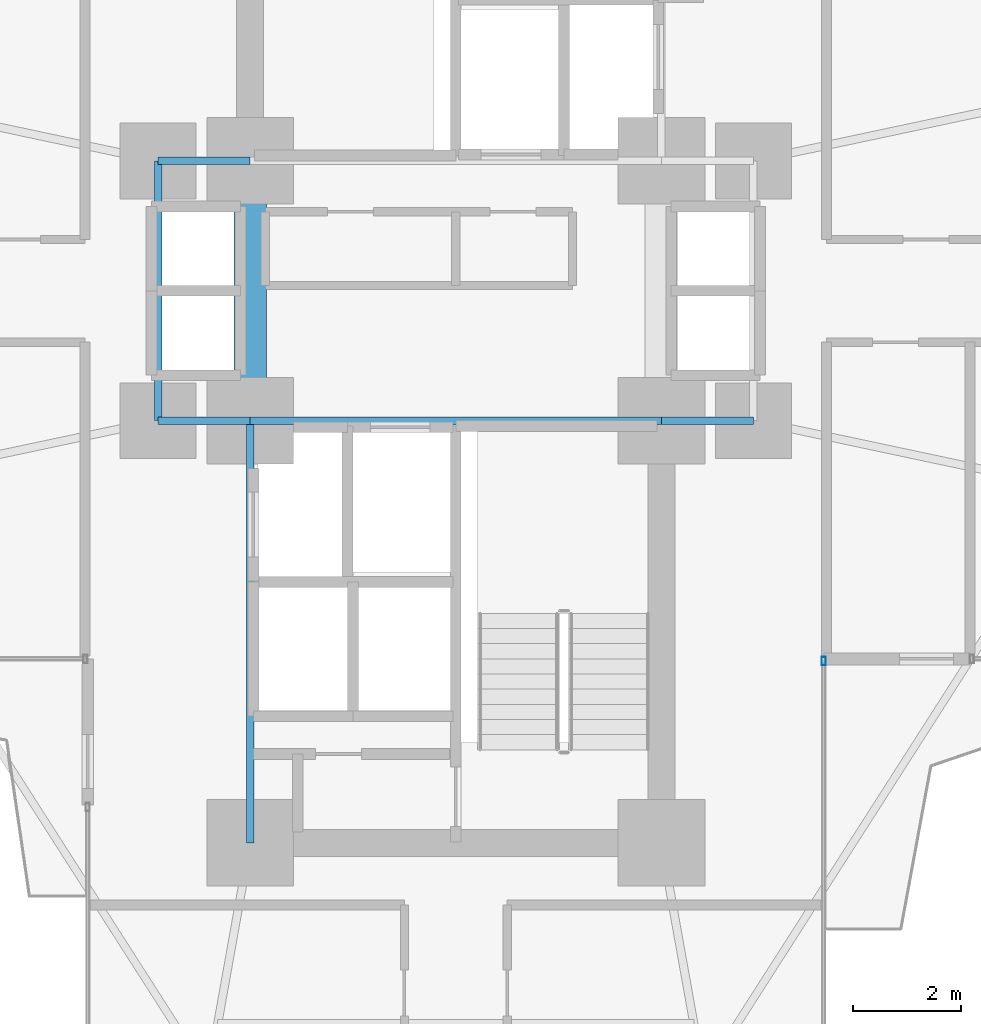
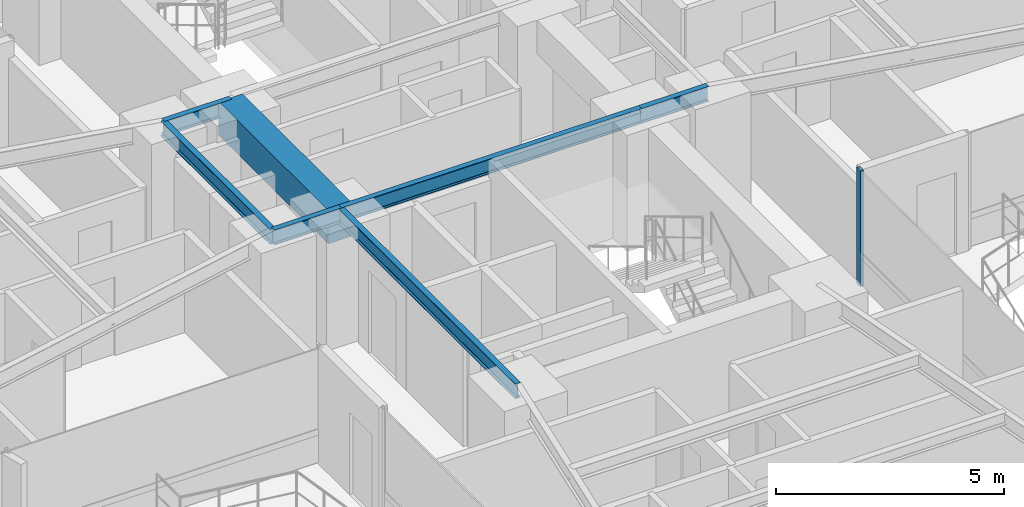
# One storey, part 11 of 26: 7 beams, 1 member, 1 element without a shape of its own.
"""IFC4 building model written with IfcOpenShell, lengths in metres."""

import ifcopenshell
import ifcopenshell.guid

model = None  # the IFC model being written
_history = None  # IfcOwnerHistory: only IFC2X3 demands one
_inside = {}  # id of a spatial element -> (the spatial element, [elements in it])
_under = {}  # id of a project, library or spatial element -> (it, [spatial elements below it])
_declared = {}  # id of a project -> (the project, [libraries it declares])
_typed = {}  # id of a type object -> (the type object, [elements of that type])
_made_of = {}  # id of a material, layer set ... -> (it, [elements and type objects made of it])


def new_model(schema):
    """Start an empty IFC model of exactly this schema.

    Asked for "IFC4X3", IfcOpenShell would pick the latest addendum, in which some entities
    have other attributes; the version numbers below select the first issue.
    IFC2X3 requires an IfcOwnerHistory on every rooted entity: one is made here for all.
    """
    global model, _history
    if schema == "IFC4X3":
        model = ifcopenshell.file(schema_version=(4, 3, 0, 0))
    else:
        model = ifcopenshell.file(schema=schema)
    _inside.clear()
    _under.clear()
    _declared.clear()
    _typed.clear()
    _made_of.clear()
    _history = None
    if model.schema == "IFC2X3":
        org = make("IfcOrganization", Name="unknown")
        user = make(
            "IfcPersonAndOrganization",
            ThePerson=make("IfcPerson", FamilyName="unknown"),
            TheOrganization=org,
        )
        app = make(
            "IfcApplication",
            ApplicationDeveloper=org,
            Version="unknown",
            ApplicationFullName="unknown",
            ApplicationIdentifier="unknown",
        )
        _history = make(
            "IfcOwnerHistory",
            OwningUser=user,
            OwningApplication=app,
            ChangeAction="ADDED",
            CreationDate=0,
        )
    return model


def make(cls, **values):
    """One entity of the class cls with the attributes given. An attribute that is None is left unset."""
    return model.create_entity(
        cls, **{name: value for name, value in values.items() if value is not None}
    )


def rooted(cls, **values):
    """An entity with a GlobalId (a new one), such as an element, a storey or a relation."""
    return make(cls, GlobalId=ifcopenshell.guid.new(), OwnerHistory=_history, **values)


def si_unit(unit_type, name, prefix=None):
    """IfcSIUnit, for example si_unit("LENGTHUNIT", "METRE", prefix="MILLI")."""
    return make("IfcSIUnit", UnitType=unit_type, Prefix=prefix, Name=name)


def assignment(units):
    """IfcUnitAssignment: the units of a project."""
    return None if units is None else make("IfcUnitAssignment", Units=units)


def point(xyz):
    """IfcCartesianPoint."""
    return None if xyz is None else make("IfcCartesianPoint", Coordinates=xyz)


def direction(xyz):
    """IfcDirection."""
    return None if xyz is None else make("IfcDirection", DirectionRatios=xyz)


def frame(location, z_axis=None, x_axis=None):
    """IfcAxis2Placement3D, a coordinate frame: its origin and axes. An axis left out is left unset."""
    return make(
        "IfcAxis2Placement3D",
        Location=point(location),
        Axis=direction(z_axis),
        RefDirection=direction(x_axis),
    )


def frame_2d(location, x_axis=None):
    """IfcAxis2Placement2D, a coordinate frame in the plane: its origin and x axis."""
    return make(
        "IfcAxis2Placement2D", Location=point(location), RefDirection=direction(x_axis)
    )


def origin():
    """The frame at (0, 0, 0) with its axes left unset."""
    return frame((0.0, 0.0, 0.0))


def origin_2d():
    """The frame at (0, 0) in the plane with its x axis left unset."""
    return frame_2d((0.0, 0.0))


def place(relative_to, where):
    """IfcLocalPlacement: puts the frame where relative to a parent placement (None: the world)."""
    return make(
        "IfcLocalPlacement", PlacementRelTo=relative_to, RelativePlacement=where
    )


def context(
    kind, dimensions, precision=None, world=None, true_north=None, identifier=None
):
    """IfcGeometricRepresentationContext, for example the 3D "Model" context."""
    return make(
        "IfcGeometricRepresentationContext",
        ContextIdentifier=identifier,
        ContextType=kind,
        CoordinateSpaceDimension=dimensions,
        Precision=precision,
        WorldCoordinateSystem=world,
        TrueNorth=true_north,
    )


def subcontext(parent, identifier, kind, view, scale=None):
    """IfcGeometricRepresentationSubContext, for example "Body" below "Model"."""
    return make(
        "IfcGeometricRepresentationSubContext",
        ContextIdentifier=identifier,
        ContextType=kind,
        ParentContext=parent,
        TargetScale=scale,
        TargetView=view,
    )


def project(units=None, contexts=None):
    """IfcProject with its units and contexts."""
    return rooted(
        "IfcProject",
        Name="project",
        RepresentationContexts=contexts,
        UnitsInContext=assignment(units),
    )


def spatial(cls, under=None, at=None, **own):
    """A site, building, storey or space (cls), placed at a placement, below another one or the project."""
    s = rooted(cls, ObjectPlacement=at, **own)
    if under is not None:
        _under.setdefault(under.id(), (under, []))[1].append(s)
    return s


def profile(cls, at=None, kind="AREA", **sizes):
    """A parametric profile (cls). Its sizes go by their IFC names, for example OverallWidth=200.0."""
    return make(cls, ProfileType=kind, Position=at, **sizes)


def rectangle(**sizes):
    """IfcRectangleProfileDef."""
    return profile("IfcRectangleProfileDef", **sizes)


def hollow_rectangle(**sizes):
    """IfcRectangleHollowProfileDef."""
    return profile("IfcRectangleHollowProfileDef", **sizes)


def i_section(**sizes):
    """IfcIShapeProfileDef."""
    return profile("IfcIShapeProfileDef", **sizes)


def extrude(swept, where, along, depth):
    """IfcExtrudedAreaSolid: the profile swept, set in the frame where, extruded along a direction by depth."""
    return make(
        "IfcExtrudedAreaSolid",
        SweptArea=swept,
        Position=where,
        ExtrudedDirection=direction(along),
        Depth=depth,
    )


def shape(context_of_items, identifier, shape_type, items):
    """IfcShapeRepresentation: the items that make up one representation, for example the "Body"."""
    return make(
        "IfcShapeRepresentation",
        ContextOfItems=context_of_items,
        RepresentationIdentifier=identifier,
        RepresentationType=shape_type,
        Items=items,
    )


def source(mapping_origin, context_of_items, identifier, shape_type, items):
    """IfcRepresentationMap: a shape defined once, which mapped items show again and again."""
    return make(
        "IfcRepresentationMap",
        MappingOrigin=mapping_origin,
        MappedRepresentation=shape(context_of_items, identifier, shape_type, items),
    )


def transform(
    local_origin,
    x_axis=None,
    y_axis=None,
    z_axis=None,
    scale=None,
    scale2=None,
    scale3=None,
    uniform=True,
):
    """IfcCartesianTransformationOperator3D, or its non-uniform kind. x_axis, y_axis, z_axis: its Axis1, 2, 3."""
    if uniform:
        return make(
            "IfcCartesianTransformationOperator3D",
            Axis1=direction(x_axis),
            Axis2=direction(y_axis),
            LocalOrigin=point(local_origin),
            Scale=scale,
            Axis3=direction(z_axis),
        )
    return make(
        "IfcCartesianTransformationOperator3DnonUniform",
        Axis1=direction(x_axis),
        Axis2=direction(y_axis),
        LocalOrigin=point(local_origin),
        Scale=scale,
        Axis3=direction(z_axis),
        Scale2=scale2,
        Scale3=scale3,
    )


def mapped(mapping_source, mapping_target):
    """IfcMappedItem: shows the shape of a source again, moved by a transform."""
    return make(
        "IfcMappedItem", MappingSource=mapping_source, MappingTarget=mapping_target
    )


def material(Name=None, Category=None):
    """IfcMaterial."""
    return make("IfcMaterial", Name=Name, Category=Category)


def material_profile(
    of_material, cross_section, Name=None, Category=None, Priority=None
):
    """IfcMaterialProfile: a cross section and its material."""
    return make(
        "IfcMaterialProfile",
        Name=Name,
        Material=of_material,
        Profile=cross_section,
        Priority=Priority,
        Category=Category,
    )


def profile_set(profiles, Name=None, composite=None):
    """IfcMaterialProfileSet."""
    return make(
        "IfcMaterialProfileSet",
        Name=Name,
        MaterialProfiles=profiles,
        CompositeProfile=composite,
    )


def made_of(thing, what):
    """Note that an element or type object is made of a material, layer set ...; save() writes the relation."""
    if what is not None:
        _made_of.setdefault(what.id(), (what, []))[1].append(thing)
    return thing


def type_object(cls, material=None, **own):
    """A type object (cls), such as IfcWallType, which elements share."""
    return made_of(rooted(cls, **own), material)


def element(
    cls,
    number,
    at=None,
    inside=None,
    cuts=None,
    type_object=None,
    material=None,
    context=None,
    identifier="Body",
    shape_type=None,
    held_by="IfcProductDefinitionShape",
    body=None,
    shapes=None,
    **own,
):
    """One element of the class cls, such as IfcWall. Its Tag is "e" and its number.

    at: its placement. inside: the storey or other place that contains it. cuts: it is an
    opening in that element (IfcRelVoidsElement). A single representation is given by context,
    identifier, shape_type and body (its items); several are given by shapes. held_by: the class
    of the entity that holds the representations. save() writes the other relations.
    """
    e = rooted(cls, Tag="e%d" % number, ObjectPlacement=at, **own)
    if body is not None:
        shapes = [shape(context, identifier, shape_type, body)]
    if shapes is not None:
        e.Representation = make(held_by, Representations=shapes)
    if inside is not None:
        _inside.setdefault(inside.id(), (inside, []))[1].append(e)
    if cuts is not None:
        rooted(
            "IfcRelVoidsElement", RelatingBuildingElement=cuts, RelatedOpeningElement=e
        )
    if type_object is not None:
        _typed.setdefault(type_object.id(), (type_object, []))[1].append(e)
    return made_of(e, material)


def aggregate(whole, parts):
    """IfcRelAggregates: a whole, such as a stair, and the parts it consists of."""
    return rooted("IfcRelAggregates", RelatingObject=whole, RelatedObjects=parts)


def save(model, path):
    """Write the relations noted so far, then the file.

    IfcRelAggregates (storeys below a building ...), IfcRelContainedInSpatialStructure (elements
    in a storey), IfcRelDefinesByType, IfcRelAssociatesMaterial and IfcRelDeclares: one each for
    every whole, place, type object, material and project.
    """
    for whole, parts in _under.values():
        aggregate(whole, parts)
    for where, things in _inside.values():
        rooted(
            "IfcRelContainedInSpatialStructure",
            RelatedElements=things,
            RelatingStructure=where,
        )
    for kind, things in _typed.values():
        rooted("IfcRelDefinesByType", RelatedObjects=things, RelatingType=kind)
    for what, things in _made_of.values():
        rooted("IfcRelAssociatesMaterial", RelatedObjects=things, RelatingMaterial=what)
    for by, libraries in _declared.values():
        rooted("IfcRelDeclares", RelatingContext=by, RelatedDefinitions=libraries)
    model.write(path)


model = new_model("IFC4")

# Units and contexts
model_context = context("Model", 3, precision=1e-05, world=origin(), true_north=direction((0.0, 1.0)))
body_context = subcontext(model_context, "Body", "Model", "MODEL_VIEW")
ifc_project = project(units=[si_unit("LENGTHUNIT", "METRE"), si_unit("AREAUNIT", "SQUARE_METRE"), si_unit("VOLUMEUNIT", "CUBIC_METRE"), si_unit("PLANEANGLEUNIT", "RADIAN"), si_unit("MASSUNIT", "GRAM", prefix="KILO")], contexts=[model_context])

# Site, building, storey
site_placement = place(None, origin())
site = spatial("IfcSite", under=ifc_project, at=site_placement, CompositionType="ELEMENT")
building_placement = place(site_placement, origin())
building = spatial("IfcBuilding", under=site, at=building_placement, Name="Sahyath Konkavel Grand Hotel", CompositionType="ELEMENT")
storey_placement = place(building_placement, frame((0.0, 0.0, 51.050048828125)))
storey = spatial("IfcBuildingStorey", under=building, at=storey_placement, Name="L13", CompositionType="ELEMENT", Elevation=51.050048828125)

# Beams
ifc_material_1 = material(Name="Concrete C70/85", Category="concrete")
ifc_material_profile_1 = material_profile(ifc_material_1, rectangle(XDim=0.60009765625, YDim=0.89990234375, at=origin_2d()), Name="RC 600x900")
ifc_profile_set_1 = profile_set([ifc_material_profile_1], Name="Concrete C70/85")
beam_type_1 = type_object("IfcBeamType", Name="BM-CB600x900", PredefinedType="LINTEL", material=ifc_profile_set_1)
shared_shape_1 = source(origin(), body_context, "Body", "SweptSolid", [
    extrude(rectangle(XDim=0.60009765625, YDim=0.89990234375, at=origin_2d()), origin(), (0.0, 0.0, 1.0), 4.7998046875),
])
beam_1_placement = place(storey_placement, frame((-3.800048828125, -2.39990234375, 2.659912109375), z_axis=(0.0, 1.0, 0.0), x_axis=(-1.0, 0.0, 0.0)))
element("IfcBeam", 1, at=beam_1_placement, inside=storey, type_object=beam_type_1, Name="L13 Split-Core Coupling Beam West", PredefinedType="LINTEL", context=body_context, shape_type="MappedRepresentation", body=[
    mapped(shared_shape_1, transform((0.0, 0.0, 0.0), scale=1.0)),
])
ifc_material_2 = material(Name="Steel E350", Category="steel")
ifc_material_profile_2 = material_profile(ifc_material_2, i_section(OverallWidth=0.139892578125, OverallDepth=0.39990234375, WebThickness=0.0087890625, FlangeThickness=0.01611328125, FilletRadius=0.013916015625, at=origin_2d()), Name="ISMB 400")
ifc_profile_set_2 = profile_set([ifc_material_profile_2], Name="Steel E350")
beam_type_2 = type_object("IfcBeamType", Name="BM-ISMB400", PredefinedType="BEAM", material=ifc_profile_set_2)
shared_shape_2 = source(origin(), body_context, "Body", "SweptSolid", [
    extrude(i_section(OverallWidth=0.139892578125, OverallDepth=0.39990234375, WebThickness=0.0087890625, FlangeThickness=0.01611328125, FilletRadius=0.013916015625, at=origin_2d()), origin(), (0.0, 0.0, 1.0), 7.60009765625),
])
beam_2_placement = place(storey_placement, frame((-3.800048828125, -2.39990234375, 2.909912109375), z_axis=(1.0, 0.0, 0.0), x_axis=(0.0, 1.0, 0.0)))
element("IfcBeam", 2, at=beam_2_placement, inside=storey, type_object=beam_type_2, Name="str:bm:L13:SC-N", PredefinedType="BEAM", context=body_context, shape_type="MappedRepresentation", body=[
    mapped(shared_shape_2, transform((0.0, 0.0, 0.0), scale=1.0)),
])
shared_shape_3 = source(origin(), body_context, "Body", "SweptSolid", [
    extrude(i_section(OverallWidth=0.139892578125, OverallDepth=0.39990234375, WebThickness=0.0087890625, FlangeThickness=0.01611328125, FilletRadius=0.013916015625, at=origin_2d()), origin(), (0.0, 0.0, 1.0), 7.800048828125),
])
beam_3_placement = place(storey_placement, frame((-3.800048828125, -10.199951171875, 2.909912109375), z_axis=(0.0, 1.0, 0.0), x_axis=(-1.0, 0.0, 0.0)))
element("IfcBeam", 3, at=beam_3_placement, inside=storey, type_object=beam_type_2, Name="str:bm:L13:SC-W", PredefinedType="BEAM", context=body_context, shape_type="MappedRepresentation", body=[
    mapped(shared_shape_3, transform((0.0, 0.0, 0.0), scale=1.0)),
])
shared_shape_4 = source(origin(), body_context, "Body", "SweptSolid", [
    extrude(i_section(OverallWidth=0.139892578125, OverallDepth=0.39990234375, WebThickness=0.0087890625, FlangeThickness=0.01611328125, FilletRadius=0.013916015625, at=origin_2d()), origin(), (0.0, 0.0, 1.0), 1.699951171875),
])
for number, where, z_axis, x_axis, name in (
    (4, (-5.5, 2.39990234375, 2.909912109375), (1.0, 0.0, 0.0), (0.0, 1.0, 0.0), "str:bm:L13:HB-NW"),
    (5, (-5.5, -2.39990234375, 2.909912109375), (1.0, 0.0, 0.0), (0.0, 1.0, 0.0), "str:bm:L13:HB-SW"),
    (6, (3.800048828125, -2.39990234375, 2.909912109375), (1.0, 0.0, 0.0), (0.0, 1.0, 0.0), "str:bm:L13:HB-SE"),
):
    element("IfcBeam", number, at=place(storey_placement, frame(where, z_axis=z_axis, x_axis=x_axis)), inside=storey, type_object=beam_type_2, Name=name, PredefinedType="BEAM", context=body_context, shape_type="MappedRepresentation", body=[
        mapped(shared_shape_4, transform((0.0, 0.0, 0.0), scale=1.0)),
    ])
shared_shape_5 = source(origin(), body_context, "Body", "SweptSolid", [
    extrude(i_section(OverallWidth=0.139892578125, OverallDepth=0.39990234375, WebThickness=0.0087890625, FlangeThickness=0.01611328125, FilletRadius=0.013916015625, at=origin_2d()), origin(), (0.0, 0.0, 1.0), 4.7998046875),
])
beam_4_placement = place(storey_placement, frame((-5.5, -2.39990234375, 2.909912109375), z_axis=(0.0, 1.0, 0.0), x_axis=(-1.0, 0.0, 0.0)))
element("IfcBeam", 7, at=beam_4_placement, inside=storey, type_object=beam_type_2, Name="str:bm:L13:HB-W", PredefinedType="BEAM", context=body_context, shape_type="MappedRepresentation", body=[
    mapped(shared_shape_5, transform((0.0, 0.0, 0.0), scale=1.0)),
])

# Curtain wall, member
ifc_material_3 = material(Name="Anodised Bronze Aluminium & Low-E Glazing", Category="aluminium")
curtain_wall_type = type_object("IfcCurtainWallType", Name="CW-ZONE1", PredefinedType="NOTDEFINED", material=ifc_material_3)
curtain_wall_placement = place(storey_placement, origin())
curtain_wall = element("IfcCurtainWall", 8, at=curtain_wall_placement, inside=storey, type_object=curtain_wall_type, Name="L13 Unitised Curtain Wall F31", PredefinedType="NOTDEFINED")
ifc_material_4 = material(Name="Anodised Bronze Aluminium", Category="aluminium")
ifc_material_profile_3 = material_profile(ifc_material_4, hollow_rectangle(XDim=0.080078125, YDim=0.159912109375, WallThickness=0.006103515625, at=origin_2d()), Name="RHS 160x80x6")
ifc_profile_set_3 = profile_set([ifc_material_profile_3], Name="Anodised Bronze Aluminium")
member_type = type_object("IfcMemberType", Name="CW-MUL-160", PredefinedType="MULLION", material=ifc_profile_set_3)
shared_shape_6 = source(origin(), body_context, "Body", "SweptSolid", [
    extrude(hollow_rectangle(XDim=0.080078125, YDim=0.159912109375, WallThickness=0.006103515625, at=origin_2d()), origin(), (0.0, 0.0, 1.0), 3.10986328125),
])
member_placement = place(storey_placement, frame((6.800048828125, -6.840087890625, 0.0), z_axis=(0.0, 0.0, 1.0), x_axis=(1.0, 0.0, 0.0)))
member = element("IfcMember", 9, at=member_placement, type_object=member_type, Name="L13 Curtain Wall Mullion F31-2", PredefinedType="MULLION", context=body_context, shape_type="MappedRepresentation", body=[
    mapped(shared_shape_6, transform((0.0, 0.0, 0.0), scale=1.0)),
])
aggregate(curtain_wall, [member])

save(model, "model.ifc")
